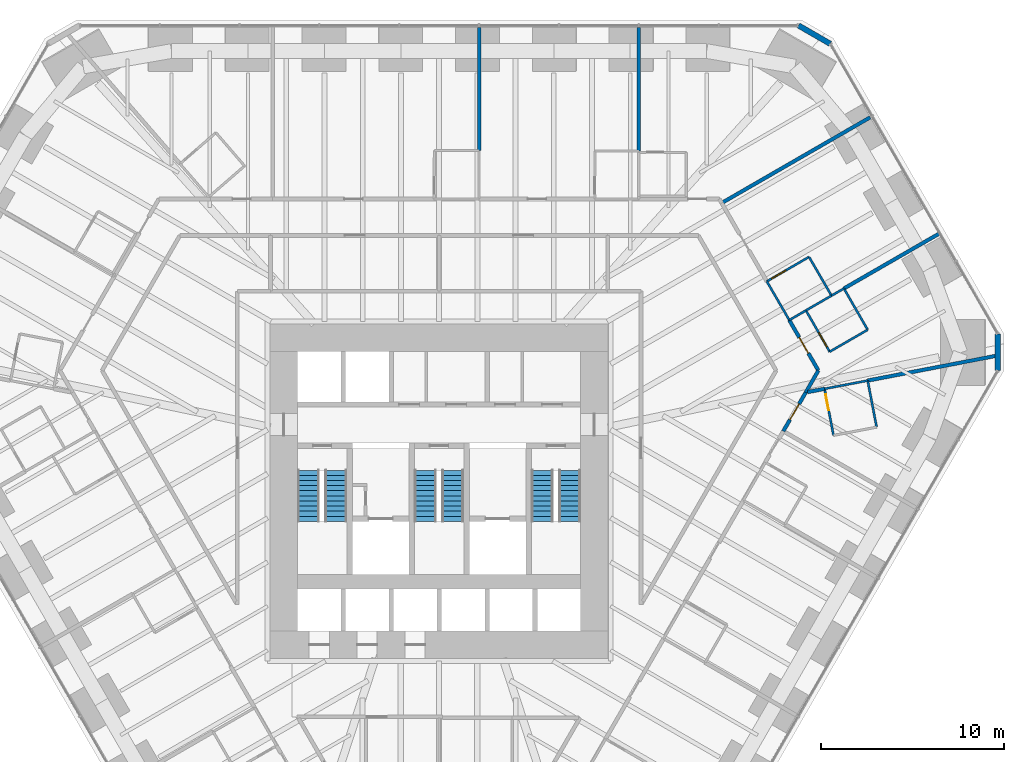
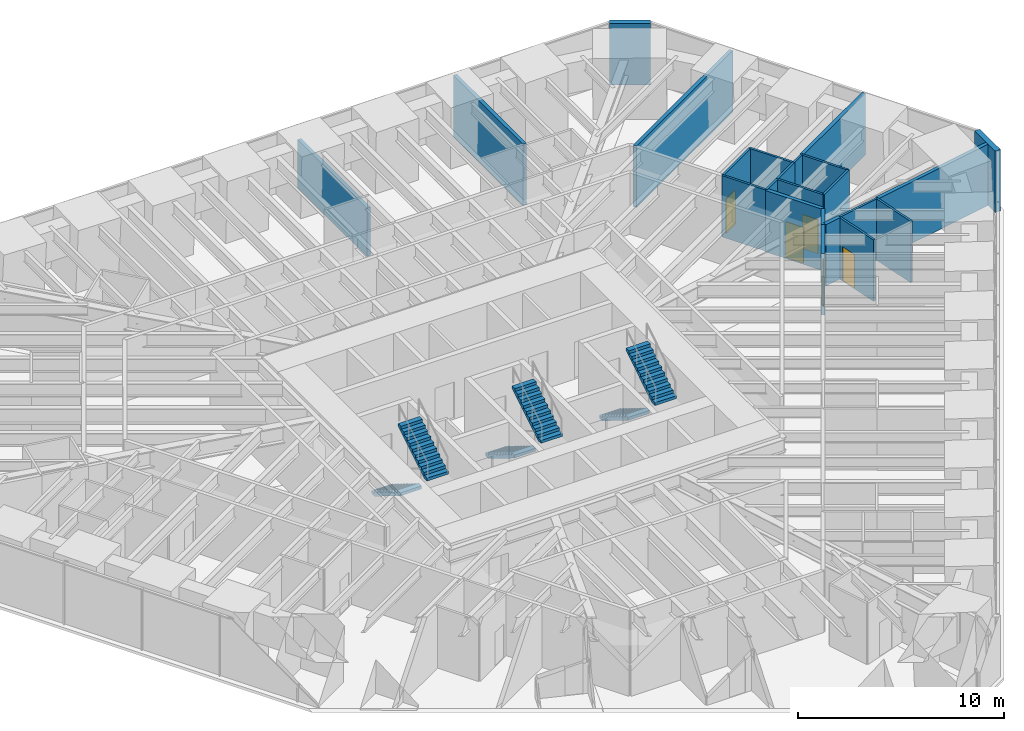
# One storey, part 16 of 17: 23 walls, 6 stair flights, 5 doors, 5 openings, 3 elements without a shape of their own.
"""IFC4 building model written with IfcOpenShell, lengths in metres."""

from ifc_helpers import new_model, si_unit, direction, frame, frame_2d, origin, place, context, subcontext, project, spatial, polyline, rectangle, outline, extrude, material, layer, layer_set, type_object, element, fill, aggregate, save


model = new_model("IFC4")

# Units and contexts
model_context = context("Model", 3, precision=1e-05, world=origin(), true_north=direction((0.0, 1.0)))
body_context = subcontext(model_context, "Body", "Model", "MODEL_VIEW")
ifc_project = project(units=[si_unit("LENGTHUNIT", "METRE"), si_unit("AREAUNIT", "SQUARE_METRE"), si_unit("VOLUMEUNIT", "CUBIC_METRE"), si_unit("PLANEANGLEUNIT", "RADIAN"), si_unit("MASSUNIT", "GRAM", prefix="KILO")], contexts=[model_context])

# Site, building, storey
site_placement = place(None, origin())
site = spatial("IfcSite", under=ifc_project, at=site_placement, CompositionType="ELEMENT")
building_placement = place(site_placement, origin())
building = spatial("IfcBuilding", under=site, at=building_placement, Name="Sandreach Pilgrim Tower", CompositionType="ELEMENT")
storey_placement = place(building_placement, frame((0.0, 0.0, 57.199951171875)))
storey = spatial("IfcBuildingStorey", under=building, at=storey_placement, Name="L13", CompositionType="ELEMENT", Elevation=57.199951171875)

# Walls
ifc_material_1 = material(Name="Moisture-resistant gypsum board on steel studs", Category="steel")
ifc_layer_1 = layer(ifc_material_1, 0.1201171875)
ifc_layer_set_1 = layer_set([ifc_layer_1], Name="Bathroom partition 120")
wall_type_1 = type_object("IfcWallType", Name="Bathroom partition 120", PredefinedType="PARTITIONING", material=ifc_layer_set_1)
wall_1_placement = place(storey_placement, frame((17.93994140625, 9.93994140625, 0.0), z_axis=(0.0, 0.0, 1.0), x_axis=(0.50162119259, -0.865087382375, 0.0)))
element("IfcWall", 1, at=wall_1_placement, inside=storey, type_object=wall_type_1, Name="Bathroom partition L13-140", PredefinedType="PARTITIONING", context=body_context, shape_type="SweptSolid", body=[
    extrude(rectangle(XDim=2.450927734375, YDim=0.1201171875, at=frame_2d((1.2255859375, 0.0))), origin(), (0.0, 0.0, 1.0), 3.64013671875),
])
wall_2_placement = place(storey_placement, frame((19.169921875, 7.820068359375, 0.0), z_axis=(0.0, 0.0, 1.0), x_axis=(0.864148586513, 0.503236743916, 0.0)))
element("IfcWall", 2, at=wall_2_placement, inside=storey, type_object=wall_type_1, Name="Bathroom partition L13-145", PredefinedType="PARTITIONING", context=body_context, shape_type="SweptSolid", body=[
    extrude(rectangle(XDim=1.05322265625, YDim=0.1201171875, at=frame_2d((0.526611328125, 0.0))), origin(), (0.0, 0.0, 1.0), 3.64013671875),
])

# Wall, opening, door
wall_3_placement = place(storey_placement, frame((20.080078125, 8.35009765625, 0.0), z_axis=(0.0, 0.0, 1.0), x_axis=(0.498557331759, -0.866856728041, 0.0)))
wall_3 = element("IfcWall", 3, at=wall_3_placement, inside=storey, type_object=wall_type_1, Name="Bathroom partition L13-148", PredefinedType="PARTITIONING", context=body_context, shape_type="SweptSolid", body=[
    extrude(rectangle(XDim=2.607177734375, YDim=0.1201171875, at=frame_2d((1.3037109375, 0.0))), origin(), (0.0, 0.0, 1.0), 3.64013671875),
])
opening_1_placement = place(wall_3_placement, frame((1.4072265625, 0.0, 0.0)))
opening_1 = element("IfcOpeningElement", 4, at=opening_1_placement, cuts=wall_3, Name="Opening D09-06B", PredefinedType="OPENING", context=body_context, shape_type="SweptSolid", body=[
    extrude(rectangle(XDim=0.89990234375, YDim=2.030029296875, at=frame_2d((0.449951171875, 1.01513671875))), frame((0.0, 0.06005859375, 0.0), z_axis=(0.0, -1.0, 0.0), x_axis=(1.0, 0.0, 0.0)), (0.0, 0.0, 1.0), 0.1201171875),
])
ifc_material_2 = material(Name="Timber door, steel frame", Category="steel")
door_type_1 = type_object("IfcDoorType", Name="Bathroom door", OperationType="SINGLE_SWING_LEFT", PredefinedType="DOOR", material=ifc_material_2)
door_1_placement = place(opening_1_placement, origin())
door_1 = element("IfcDoor", 5, at=door_1_placement, inside=storey, type_object=door_type_1, Name="Door 1306B", OperationType="SINGLE_SWING_RIGHT", OverallHeight=2.030029296875, OverallWidth=0.89990234375, PredefinedType="DOOR", context=body_context, shape_type="SweptSolid", body=[
    extrude(rectangle(XDim=0.89990234375, YDim=2.030029296875, at=frame_2d((0.449951171875, 1.01513671875))), frame((0.0, 0.02490234375, 0.0), z_axis=(0.0, -1.0, 0.0), x_axis=(1.0, 0.0, 0.0)), (0.0, 0.0, 1.0), 0.050048828125),
])
fill(opening_1, door_1)

# Wall
wall_4_placement = place(storey_placement, frame((20.080078125, 8.35009765625, 0.0), z_axis=(0.0, 0.0, 1.0), x_axis=(0.86577060138, 0.500441071242, 0.0)))
element("IfcWall", 6, at=wall_4_placement, inside=storey, type_object=wall_type_1, Name="Bathroom partition L13-149", PredefinedType="PARTITIONING", context=body_context, shape_type="SweptSolid", body=[
    extrude(rectangle(XDim=1.6171875, YDim=0.1201171875, at=frame_2d((0.80859375, 0.0))), origin(), (0.0, 0.0, 1.0), 3.64013671875),
])

# Wall, opening, door
wall_5_placement = place(storey_placement, frame((20.25, 11.280029296875, 0.0), z_axis=(0.0, 0.0, 1.0), x_axis=(-0.86498992408, -0.501789229896, 0.0)))
wall_5 = element("IfcWall", 7, at=wall_5_placement, inside=storey, type_object=wall_type_1, Name="Bathroom partition L13-152", PredefinedType="PARTITIONING", context=body_context, shape_type="SweptSolid", body=[
    extrude(rectangle(XDim=2.670654296875, YDim=0.1201171875, at=frame_2d((1.33544921875, 0.0))), origin(), (0.0, 0.0, 1.0), 3.64013671875),
])
opening_2_placement = place(wall_5_placement, frame((1.470458984375, 0.0, 0.0)))
opening_2 = element("IfcOpeningElement", 8, at=opening_2_placement, cuts=wall_5, Name="Opening D09-05B", PredefinedType="OPENING", context=body_context, shape_type="SweptSolid", body=[
    extrude(rectangle(XDim=0.89990234375, YDim=2.030029296875, at=frame_2d((0.449951171875, 1.01513671875))), frame((0.0, 0.06005859375, 0.0), z_axis=(0.0, -1.0, 0.0), x_axis=(1.0, 0.0, 0.0)), (0.0, 0.0, 1.0), 0.1201171875),
])
door_2_placement = place(opening_2_placement, origin())
door_2 = element("IfcDoor", 9, at=door_2_placement, inside=storey, type_object=door_type_1, Name="Door 1305B", OperationType="SINGLE_SWING_RIGHT", OverallHeight=2.030029296875, OverallWidth=0.89990234375, PredefinedType="DOOR", context=body_context, shape_type="SweptSolid", body=[
    extrude(rectangle(XDim=0.89990234375, YDim=2.030029296875, at=frame_2d((0.449951171875, 1.01513671875))), frame((0.0, 0.02490234375, 0.0), z_axis=(0.0, -1.0, 0.0), x_axis=(1.0, 0.0, 0.0)), (0.0, 0.0, 1.0), 0.050048828125),
])
fill(opening_2, door_2)

wall_6_placement = place(storey_placement, frame((21.10009765625, 4.06005859375, 0.0), z_axis=(0.0, 0.0, 1.0), x_axis=(0.188697442844, -0.982035271802, 0.0)))
wall_6 = element("IfcWall", 10, at=wall_6_placement, inside=storey, type_object=wall_type_1, Name="Bathroom partition L13-153", PredefinedType="PARTITIONING", context=body_context, shape_type="SweptSolid", body=[
    extrude(rectangle(XDim=2.5966796875, YDim=0.1201171875, at=frame_2d((1.29833984375, 0.0))), origin(), (0.0, 0.0, 1.0), 3.64013671875),
])
opening_3_placement = place(wall_6_placement, frame((0.300048828125, 0.0, 0.0)))
opening_3 = element("IfcOpeningElement", 11, at=opening_3_placement, cuts=wall_6, Name="Opening D09-07B", PredefinedType="OPENING", context=body_context, shape_type="SweptSolid", body=[
    extrude(rectangle(XDim=0.89990234375, YDim=2.030029296875, at=frame_2d((0.449951171875, 1.01513671875))), frame((0.0, 0.06005859375, 0.0), z_axis=(0.0, -1.0, 0.0), x_axis=(1.0, 0.0, 0.0)), (0.0, 0.0, 1.0), 0.1201171875),
])
door_3_placement = place(opening_3_placement, origin())
door_3 = element("IfcDoor", 12, at=door_3_placement, inside=storey, type_object=door_type_1, Name="Door 1307B", OperationType="SINGLE_SWING_LEFT", OverallHeight=2.030029296875, OverallWidth=0.89990234375, PredefinedType="DOOR", context=body_context, shape_type="SweptSolid", body=[
    extrude(rectangle(XDim=0.89990234375, YDim=2.030029296875, at=frame_2d((0.449951171875, 1.01513671875))), frame((0.0, 0.02490234375, 0.0), z_axis=(0.0, -1.0, 0.0), x_axis=(1.0, 0.0, 0.0)), (0.0, 0.0, 1.0), 0.050048828125),
])
fill(opening_3, door_3)

# Walls
wall_7_placement = place(storey_placement, frame((21.099853515625, 4.06005859375, 0.0), z_axis=(0.0, 0.0, 1.0), x_axis=(0.982307423658, 0.187275533444, 0.0)))
element("IfcWall", 13, at=wall_7_placement, inside=storey, type_object=wall_type_1, Name="Bathroom partition L13-154", PredefinedType="PARTITIONING", context=body_context, shape_type="SweptSolid", body=[
    extrude(rectangle(XDim=2.402587890625, YDim=0.1201171875, at=frame_2d((1.201171875, 0.0))), origin(), (0.0, 0.0, 1.0), 3.64013671875),
])
wall_8_placement = place(storey_placement, frame((21.3798828125, 6.090087890625, 0.0), z_axis=(0.0, 0.0, 1.0), x_axis=(0.866202511239, 0.499693115345, 0.0)))
element("IfcWall", 14, at=wall_8_placement, inside=storey, type_object=wall_type_1, Name="Bathroom partition L13-155", PredefinedType="PARTITIONING", context=body_context, shape_type="SweptSolid", body=[
    extrude(rectangle(XDim=2.4013671875, YDim=0.1201171875, at=frame_2d((1.20068359375, 0.0))), origin(), (0.0, 0.0, 1.0), 3.64013671875),
])
wall_9_placement = place(storey_placement, frame((21.47998046875, 9.159912109375, 0.0), z_axis=(0.0, 0.0, 1.0), x_axis=(-0.501813488763, 0.864975850817, 0.0)))
element("IfcWall", 15, at=wall_9_placement, inside=storey, type_object=wall_type_1, Name="Bathroom partition L13-156", PredefinedType="PARTITIONING", context=body_context, shape_type="SweptSolid", body=[
    extrude(rectangle(XDim=2.451171875, YDim=0.1201171875, at=frame_2d((1.2255859375, 0.0))), origin(), (0.0, 0.0, 1.0), 3.64013671875),
])
wall_10_placement = place(storey_placement, frame((21.480224609375, 9.159423828125, 0.0), z_axis=(0.0, 0.0, 1.0), x_axis=(0.867013943985, 0.498283875853, 0.0)))
element("IfcWall", 16, at=wall_10_placement, inside=storey, type_object=wall_type_1, Name="Bathroom partition L13-157", PredefinedType="PARTITIONING", context=body_context, shape_type="SweptSolid", body=[
    extrude(rectangle(XDim=0.783935546875, YDim=0.1201171875, at=frame_2d((0.39208984375, 0.0))), origin(), (0.0, 0.0, 1.0), 3.64013671875),
])
wall_11_placement = place(storey_placement, frame((23.4599609375, 7.2900390625, 0.0), z_axis=(0.0, 0.0, 1.0), x_axis=(-0.498627694264, 0.866816256489, 0.0)))
element("IfcWall", 17, at=wall_11_placement, inside=storey, type_object=wall_type_1, Name="Bathroom partition L13-161", PredefinedType="PARTITIONING", context=body_context, shape_type="SweptSolid", body=[
    extrude(rectangle(XDim=2.607177734375, YDim=0.1201171875, at=frame_2d((1.3037109375, 0.0))), origin(), (0.0, 0.0, 1.0), 3.64013671875),
])
wall_12_placement = place(storey_placement, frame((23.949951171875, 1.9599609375, 0.0), z_axis=(0.0, 0.0, 1.0), x_axis=(-0.188697442844, 0.982035271802, 0.0)))
element("IfcWall", 18, at=wall_12_placement, inside=storey, type_object=wall_type_1, Name="Bathroom partition L13-163", PredefinedType="PARTITIONING", context=body_context, shape_type="SweptSolid", body=[
    extrude(rectangle(XDim=2.5966796875, YDim=0.1201171875, at=frame_2d((1.29833984375, 0.0))), origin(), (0.0, 0.0, 1.0), 3.64013671875),
])

# Wall, opening, door
ifc_material_3 = material(Name="Gypsum board on steel studs, two layers each side", Category="steel")
ifc_layer_2 = layer(ifc_material_3, 0.199951171875)
ifc_layer_set_2 = layer_set([ifc_layer_2], Name="Corridor wall 200")
wall_type_2 = type_object("IfcWallType", Name="Corridor wall 200", PredefinedType="PARTITIONING", material=ifc_layer_set_2)
wall_13_placement = place(storey_placement, frame((18.840087890625, 1.739990234375, 0.0), z_axis=(0.0, 0.0, 1.0), x_axis=(0.501813488763, 0.864975850817, 0.0)))
wall_13 = element("IfcWall", 19, at=wall_13_placement, inside=storey, type_object=wall_type_2, Name="Corridor wall L13-142", PredefinedType="PARTITIONING", context=body_context, shape_type="SweptSolid", body=[
    extrude(rectangle(XDim=2.451171875, YDim=0.199951171875, at=frame_2d((1.2255859375, 0.0))), origin(), (0.0, 0.0, 1.0), 3.64013671875),
])
opening_4_placement = place(wall_13_placement, frame((0.7255859375, 0.0, 0.0)))
opening_4 = element("IfcOpeningElement", 20, at=opening_4_placement, cuts=wall_13, Name="Opening D10-07", PredefinedType="OPENING", context=body_context, shape_type="SweptSolid", body=[
    extrude(rectangle(XDim=1.0, YDim=2.1298828125, at=frame_2d((0.5, 1.06494140625))), frame((0.0, 0.10009765625, 0.0), z_axis=(0.0, -1.0, 0.0), x_axis=(1.0, 0.0, 0.0)), (0.0, 0.0, 1.0), 0.199951171875),
])
ifc_material_4 = material(Name="Steel door and frame", Category="steel")
door_type_2 = type_object("IfcDoorType", Name="Guest room entry door", OperationType="SINGLE_SWING_LEFT", PredefinedType="DOOR", material=ifc_material_4)
door_4_placement = place(opening_4_placement, origin())
door_4 = element("IfcDoor", 21, at=door_4_placement, inside=storey, type_object=door_type_2, Name="Door 1307", OperationType="SINGLE_SWING_LEFT", OverallHeight=2.1298828125, OverallWidth=1.0, PredefinedType="DOOR", context=body_context, shape_type="SweptSolid", body=[
    extrude(rectangle(XDim=1.0, YDim=2.1298828125, at=frame_2d((0.5, 1.06494140625))), frame((0.0, 0.02490234375, 0.0), z_axis=(0.0, -1.0, 0.0), x_axis=(1.0, 0.0, 0.0)), (0.0, 0.0, 1.0), 0.050048828125),
])
fill(opening_4, door_4)

wall_14_placement = place(storey_placement, frame((19.16943359375, 7.819580078125, 0.0), z_axis=(0.0, 0.0, 1.0), x_axis=(0.499379570303, -0.866383312838, 0.0)))
wall_14 = element("IfcWall", 22, at=wall_14_placement, inside=storey, type_object=wall_type_2, Name="Corridor wall L13-146", PredefinedType="PARTITIONING", context=body_context, shape_type="SweptSolid", body=[
    extrude(rectangle(XDim=3.18505859375, YDim=0.199951171875, at=frame_2d((1.592529296875, 0.0))), origin(), (0.0, 0.0, 1.0), 3.64013671875),
])
opening_5_placement = place(wall_14_placement, frame((1.092529296875, 0.0, 0.0)))
opening_5 = element("IfcOpeningElement", 23, at=opening_5_placement, cuts=wall_14, Name="Opening D10-06", PredefinedType="OPENING", context=body_context, shape_type="SweptSolid", body=[
    extrude(rectangle(XDim=1.0, YDim=2.1298828125, at=frame_2d((0.5, 1.06494140625))), frame((0.0, 0.10009765625, 0.0), z_axis=(0.0, -1.0, 0.0), x_axis=(1.0, 0.0, 0.0)), (0.0, 0.0, 1.0), 0.199951171875),
])
door_5_placement = place(opening_5_placement, origin())
door_5 = element("IfcDoor", 24, at=door_5_placement, inside=storey, type_object=door_type_2, Name="Door 1306", OperationType="SINGLE_SWING_LEFT", OverallHeight=2.1298828125, OverallWidth=1.0, PredefinedType="DOOR", context=body_context, shape_type="SweptSolid", body=[
    extrude(rectangle(XDim=1.0, YDim=2.1298828125, at=frame_2d((0.5, 1.06494140625))), frame((0.0, 0.02490234375, 0.0), z_axis=(0.0, -1.0, 0.0), x_axis=(1.0, 0.0, 0.0)), (0.0, 0.0, 1.0), 0.050048828125),
])
fill(opening_5, door_5)

# Walls
wall_15_placement = place(storey_placement, frame((20.070068359375, 3.860107421875, 0.0), z_axis=(0.0, 0.0, 1.0), x_axis=(0.49845455473, 0.866915830325, 0.0)))
element("IfcWall", 25, at=wall_15_placement, inside=storey, type_object=wall_type_2, Name="Corridor wall L13-147", PredefinedType="PARTITIONING", context=body_context, shape_type="SweptSolid", body=[
    extrude(rectangle(XDim=1.38427734375, YDim=0.199951171875, at=frame_2d((0.692138671875, 0.0))), origin(), (0.0, 0.0, 1.0), 3.64013671875),
])
ifc_material_5 = material(Name="Double steel stud acoustic wall, gypsum board", Category="steel")
ifc_layer_3 = layer(ifc_material_5, 0.199951171875)
ifc_layer_set_3 = layer_set([ifc_layer_3], Name="Party wall 200")
wall_type_3 = type_object("IfcWallType", Name="Party wall 200", PredefinedType="PARTITIONING", material=ifc_layer_set_3)
wall_16_placement = place(storey_placement, frame((2.18994140625, 23.830078125, 0.0), z_axis=(0.0, 0.0, 1.0), x_axis=(0.0, -1.0, 0.0)))
element("IfcWall", 26, at=wall_16_placement, inside=storey, type_object=wall_type_3, Name="Party wall L13-087", PredefinedType="PARTITIONING", context=body_context, shape_type="SweptSolid", body=[
    extrude(rectangle(XDim=6.72998046875, YDim=0.199951171875, at=frame_2d((3.364990234375, 0.0))), origin(), (0.0, 0.0, 1.0), 2.8779296875),
])
wall_17_placement = place(storey_placement, frame((10.929931640625, 23.830078125, 0.0), z_axis=(0.0, 0.0, 1.0), x_axis=(0.0, -1.0, 0.0)))
element("IfcWall", 27, at=wall_17_placement, inside=storey, type_object=wall_type_3, Name="Party wall L13-120", PredefinedType="PARTITIONING", context=body_context, shape_type="SweptSolid", body=[
    extrude(rectangle(XDim=6.760009765625, YDim=0.199951171875, at=frame_2d((3.3798828125, 0.0))), origin(), (0.0, 0.0, 1.0), 3.64013671875),
])
wall_18_placement = place(storey_placement, frame((20.168212890625, 3.879150390625, 0.0), z_axis=(0.0, 0.0, 1.0), x_axis=(0.981663556765, 0.190621775567, 0.0)))
element("IfcWall", 28, at=wall_18_placement, inside=storey, type_object=wall_type_3, Name="Party wall L13-151", PredefinedType="PARTITIONING", context=body_context, shape_type="SweptSolid", body=[
    extrude(rectangle(XDim=0.948974609375, YDim=0.199951171875, at=frame_2d((0.474609375, 0.0))), origin(), (0.0, 0.0, 1.0), 3.64013671875),
])
wall_19_placement = place(storey_placement, frame((22.159912109375, 9.550048828125, 0.0), z_axis=(0.0, 0.0, 1.0), x_axis=(0.866419851117, 0.499316173973, 0.0)))
element("IfcWall", 29, at=wall_19_placement, inside=storey, type_object=wall_type_3, Name="Party wall L13-159", PredefinedType="PARTITIONING", context=body_context, shape_type="SweptSolid", body=[
    extrude(rectangle(XDim=6.01806640625, YDim=0.199951171875, at=frame_2d((3.009033203125, 0.0))), origin(), (0.0, 0.0, 1.0), 3.64013671875),
])
wall_20_placement = place(storey_placement, frame((23.4599609375, 4.510009765625, 0.0), z_axis=(0.0, 0.0, 1.0), x_axis=(0.981929870864, 0.189245155035, 0.0)))
element("IfcWall", 30, at=wall_20_placement, inside=storey, type_object=wall_type_3, Name="Party wall L13-160", PredefinedType="PARTITIONING", context=body_context, shape_type="SweptSolid", body=[
    extrude(rectangle(XDim=7.26171875, YDim=0.199951171875, at=frame_2d((3.630859375, 0.0))), origin(), (0.0, 0.0, 1.0), 3.64013671875),
])
wall_21_placement = place(storey_placement, frame((23.595947265625, 18.919921875, 0.0), z_axis=(0.0, 0.0, 1.0), x_axis=(-0.866103566674, -0.499864593459, 0.0)))
element("IfcWall", 31, at=wall_21_placement, inside=storey, type_object=wall_type_3, Name="Party wall L13-162", PredefinedType="PARTITIONING", context=body_context, shape_type="SweptSolid", body=[
    extrude(rectangle(XDim=9.3671875, YDim=0.199951171875, at=frame_2d((4.68359375, 0.0))), origin(), (0.0, 0.0, 1.0), 3.64013671875),
])
ifc_material_6 = material(Name="Terracotta rainscreen on concrete", Category="masonry")
ifc_layer_4 = layer(ifc_material_6, 0.300048828125)
ifc_layer_set_4 = layer_set([ifc_layer_4], Name="Terracotta chamfer pier")
wall_type_4 = type_object("IfcWallType", Name="Terracotta chamfer pier", PredefinedType="SOLIDWALL", material=ifc_layer_set_4)
for number, where, z_axis, x_axis, name in (
    (32, (19.672119140625, 23.94873046875, 0.0), (0.0, 0.0, 1.0), (0.866010750942, -0.50002537861, 0.0), "Chamfer pier L13 N"),
    (33, (30.576171875, 7.062255859375, 0.0), (0.0, 0.0, 1.0), (0.0, -1.0, 0.0), "Chamfer pier L13 NE"),
):
    element("IfcWall", number, at=place(storey_placement, frame(where, z_axis=z_axis, x_axis=x_axis)), inside=storey, type_object=wall_type_4, Name=name, PredefinedType="SOLIDWALL", context=body_context, shape_type="SweptSolid", body=[
        extrude(rectangle(XDim=2.0, YDim=0.300048828125, at=frame_2d((1.0, 0.0))), origin(), (0.0, 0.0, 1.0), 3.64013671875),
    ])

# Stair, stair flights
ifc_material_7 = material(Name="Concrete 8000 psi", Category="concrete")
stair_type = type_object("IfcStairType", Name="Core exit stair", PredefinedType="HALF_TURN_STAIR", material=ifc_material_7)
stair_1_placement = place(storey_placement, origin())
stair_1 = element("IfcStair", 34, at=stair_1_placement, inside=storey, type_object=stair_type, Name="Exit stair ST1 L13", PredefinedType="HALF_TURN_STAIR")
ifc_material_8 = material(Name="Concrete 8000 psi", Category="concrete")
stair_flight_type = type_object("IfcStairFlightType", Name="Core stair flight 1200", PredefinedType="STRAIGHT", material=ifc_material_8)
stair_flight_1_placement = place(storey_placement, frame((-7.14990234375, -0.39990234375, 0.0), z_axis=(0.0, 0.0, 1.0), x_axis=(0.0, -1.0, 0.0)))
stair_flight_1 = element("IfcStairFlight", 35, at=stair_flight_1_placement, type_object=stair_flight_type, Name="ST1 flight 1", NumberOfRisers=11, NumberOfTreads=10, PredefinedType="STRAIGHT", RiserHeight=0.172727273, TreadLength=0.28, context=body_context, shape_type="SweptSolid", body=[
    extrude(outline(polyline([(0.0, 0.0), (0.0, 0.172607421875), (0.280029296875, 0.172607421875), (0.280029296875, 0.345458984375), (0.56005859375, 0.345458984375), (0.56005859375, 0.51806640625), (0.840087890625, 0.51806640625), (0.840087890625, 0.69091796875), (1.1201171875, 0.69091796875), (1.1201171875, 0.863525390625), (1.39990234375, 0.863525390625), (1.39990234375, 1.036376953125), (1.679931640625, 1.036376953125), (1.679931640625, 1.208984375), (1.9599609375, 1.208984375), (1.9599609375, 1.3818359375), (2.239990234375, 1.3818359375), (2.239990234375, 1.554443359375), (2.52001953125, 1.554443359375), (2.52001953125, 1.727294921875), (2.800048828125, 1.727294921875), (2.800048828125, 1.89990234375), (2.800048828125, 1.551025390625), (0.285400390625, 0.0), (0.0, 0.0)])), frame((0.0, 0.60009765625, 0.0), z_axis=(0.0, -1.0, 0.0), x_axis=(1.0, 0.0, 0.0)), (0.0, 0.0, 1.0), 1.199951171875),
])
stair_flight_2_placement = place(storey_placement, frame((-5.64990234375, -3.199951171875, 1.900146484375), z_axis=(0.0, 0.0, 1.0), x_axis=(0.0, 1.0, 0.0)))
stair_flight_2 = element("IfcStairFlight", 36, at=stair_flight_2_placement, type_object=stair_flight_type, Name="ST1 flight 2", NumberOfRisers=11, NumberOfTreads=10, PredefinedType="STRAIGHT", RiserHeight=0.172727273, TreadLength=0.28, context=body_context, shape_type="SweptSolid", body=[
    extrude(outline(polyline([(0.0, 0.0), (0.0, 0.172607421875), (0.280029296875, 0.172607421875), (0.280029296875, 0.345458984375), (0.56005859375, 0.345458984375), (0.56005859375, 0.51806640625), (0.840087890625, 0.51806640625), (0.840087890625, 0.69091796875), (1.1201171875, 0.69091796875), (1.1201171875, 0.863525390625), (1.39990234375, 0.863525390625), (1.39990234375, 1.036376953125), (1.679931640625, 1.036376953125), (1.679931640625, 1.208984375), (1.9599609375, 1.208984375), (1.9599609375, 1.3818359375), (2.239990234375, 1.3818359375), (2.239990234375, 1.554443359375), (2.52001953125, 1.554443359375), (2.52001953125, 1.727294921875), (2.800048828125, 1.727294921875), (2.800048828125, 1.89990234375), (2.800048828125, 1.551025390625), (0.285400390625, 0.0), (0.0, 0.0)])), frame((0.0, 0.60009765625, 0.0), z_axis=(0.0, -1.0, 0.0), x_axis=(1.0, 0.0, 0.0)), (0.0, 0.0, 1.0), 1.199951171875),
])
aggregate(stair_1, [stair_flight_1, stair_flight_2])

stair_2_placement = place(storey_placement, origin())
stair_2 = element("IfcStair", 37, at=stair_2_placement, inside=storey, type_object=stair_type, Name="Exit stair ST3 L13", PredefinedType="HALF_TURN_STAIR")
stair_flight_3_placement = place(storey_placement, frame((-0.75, -0.39990234375, 0.0), z_axis=(0.0, 0.0, 1.0), x_axis=(0.0, -1.0, 0.0)))
stair_flight_3 = element("IfcStairFlight", 38, at=stair_flight_3_placement, type_object=stair_flight_type, Name="ST3 flight 1", NumberOfRisers=11, NumberOfTreads=10, PredefinedType="STRAIGHT", RiserHeight=0.172727273, TreadLength=0.28, context=body_context, shape_type="SweptSolid", body=[
    extrude(outline(polyline([(0.0, 0.0), (0.0, 0.172607421875), (0.280029296875, 0.172607421875), (0.280029296875, 0.345458984375), (0.56005859375, 0.345458984375), (0.56005859375, 0.51806640625), (0.840087890625, 0.51806640625), (0.840087890625, 0.69091796875), (1.1201171875, 0.69091796875), (1.1201171875, 0.863525390625), (1.39990234375, 0.863525390625), (1.39990234375, 1.036376953125), (1.679931640625, 1.036376953125), (1.679931640625, 1.208984375), (1.9599609375, 1.208984375), (1.9599609375, 1.3818359375), (2.239990234375, 1.3818359375), (2.239990234375, 1.554443359375), (2.52001953125, 1.554443359375), (2.52001953125, 1.727294921875), (2.800048828125, 1.727294921875), (2.800048828125, 1.89990234375), (2.800048828125, 1.551025390625), (0.285400390625, 0.0), (0.0, 0.0)])), frame((0.0, 0.60009765625, 0.0), z_axis=(0.0, -1.0, 0.0), x_axis=(1.0, 0.0, 0.0)), (0.0, 0.0, 1.0), 1.199951171875),
])
stair_flight_4_placement = place(storey_placement, frame((0.75, -3.199951171875, 1.900146484375), z_axis=(0.0, 0.0, 1.0), x_axis=(0.0, 1.0, 0.0)))
stair_flight_4 = element("IfcStairFlight", 39, at=stair_flight_4_placement, type_object=stair_flight_type, Name="ST3 flight 2", NumberOfRisers=11, NumberOfTreads=10, PredefinedType="STRAIGHT", RiserHeight=0.172727273, TreadLength=0.28, context=body_context, shape_type="SweptSolid", body=[
    extrude(outline(polyline([(0.0, 0.0), (0.0, 0.172607421875), (0.280029296875, 0.172607421875), (0.280029296875, 0.345458984375), (0.56005859375, 0.345458984375), (0.56005859375, 0.51806640625), (0.840087890625, 0.51806640625), (0.840087890625, 0.69091796875), (1.1201171875, 0.69091796875), (1.1201171875, 0.863525390625), (1.39990234375, 0.863525390625), (1.39990234375, 1.036376953125), (1.679931640625, 1.036376953125), (1.679931640625, 1.208984375), (1.9599609375, 1.208984375), (1.9599609375, 1.3818359375), (2.239990234375, 1.3818359375), (2.239990234375, 1.554443359375), (2.52001953125, 1.554443359375), (2.52001953125, 1.727294921875), (2.800048828125, 1.727294921875), (2.800048828125, 1.89990234375), (2.800048828125, 1.551025390625), (0.285400390625, 0.0), (0.0, 0.0)])), frame((0.0, 0.60009765625, 0.0), z_axis=(0.0, -1.0, 0.0), x_axis=(1.0, 0.0, 0.0)), (0.0, 0.0, 1.0), 1.199951171875),
])
aggregate(stair_2, [stair_flight_3, stair_flight_4])

stair_3_placement = place(storey_placement, origin())
stair_3 = element("IfcStair", 40, at=stair_3_placement, inside=storey, type_object=stair_type, Name="Exit stair ST2 L13", PredefinedType="HALF_TURN_STAIR")
stair_flight_5_placement = place(storey_placement, frame((5.64990234375, -0.39990234375, 0.0), z_axis=(0.0, 0.0, 1.0), x_axis=(0.0, -1.0, 0.0)))
stair_flight_5 = element("IfcStairFlight", 41, at=stair_flight_5_placement, type_object=stair_flight_type, Name="ST2 flight 1", NumberOfRisers=11, NumberOfTreads=10, PredefinedType="STRAIGHT", RiserHeight=0.172727273, TreadLength=0.28, context=body_context, shape_type="SweptSolid", body=[
    extrude(outline(polyline([(0.0, 0.0), (0.0, 0.172607421875), (0.280029296875, 0.172607421875), (0.280029296875, 0.345458984375), (0.56005859375, 0.345458984375), (0.56005859375, 0.51806640625), (0.840087890625, 0.51806640625), (0.840087890625, 0.69091796875), (1.1201171875, 0.69091796875), (1.1201171875, 0.863525390625), (1.39990234375, 0.863525390625), (1.39990234375, 1.036376953125), (1.679931640625, 1.036376953125), (1.679931640625, 1.208984375), (1.9599609375, 1.208984375), (1.9599609375, 1.3818359375), (2.239990234375, 1.3818359375), (2.239990234375, 1.554443359375), (2.52001953125, 1.554443359375), (2.52001953125, 1.727294921875), (2.800048828125, 1.727294921875), (2.800048828125, 1.89990234375), (2.800048828125, 1.551025390625), (0.285400390625, 0.0), (0.0, 0.0)])), frame((0.0, 0.60009765625, 0.0), z_axis=(0.0, -1.0, 0.0), x_axis=(1.0, 0.0, 0.0)), (0.0, 0.0, 1.0), 1.199951171875),
])
stair_flight_6_placement = place(storey_placement, frame((7.14990234375, -3.199951171875, 1.900146484375), z_axis=(0.0, 0.0, 1.0), x_axis=(0.0, 1.0, 0.0)))
stair_flight_6 = element("IfcStairFlight", 42, at=stair_flight_6_placement, type_object=stair_flight_type, Name="ST2 flight 2", NumberOfRisers=11, NumberOfTreads=10, PredefinedType="STRAIGHT", RiserHeight=0.172727273, TreadLength=0.28, context=body_context, shape_type="SweptSolid", body=[
    extrude(outline(polyline([(0.0, 0.0), (0.0, 0.172607421875), (0.280029296875, 0.172607421875), (0.280029296875, 0.345458984375), (0.56005859375, 0.345458984375), (0.56005859375, 0.51806640625), (0.840087890625, 0.51806640625), (0.840087890625, 0.69091796875), (1.1201171875, 0.69091796875), (1.1201171875, 0.863525390625), (1.39990234375, 0.863525390625), (1.39990234375, 1.036376953125), (1.679931640625, 1.036376953125), (1.679931640625, 1.208984375), (1.9599609375, 1.208984375), (1.9599609375, 1.3818359375), (2.239990234375, 1.3818359375), (2.239990234375, 1.554443359375), (2.52001953125, 1.554443359375), (2.52001953125, 1.727294921875), (2.800048828125, 1.727294921875), (2.800048828125, 1.89990234375), (2.800048828125, 1.551025390625), (0.285400390625, 0.0), (0.0, 0.0)])), frame((0.0, 0.60009765625, 0.0), z_axis=(0.0, -1.0, 0.0), x_axis=(1.0, 0.0, 0.0)), (0.0, 0.0, 1.0), 1.199951171875),
])
aggregate(stair_3, [stair_flight_5, stair_flight_6])

save(model, "model.ifc")
